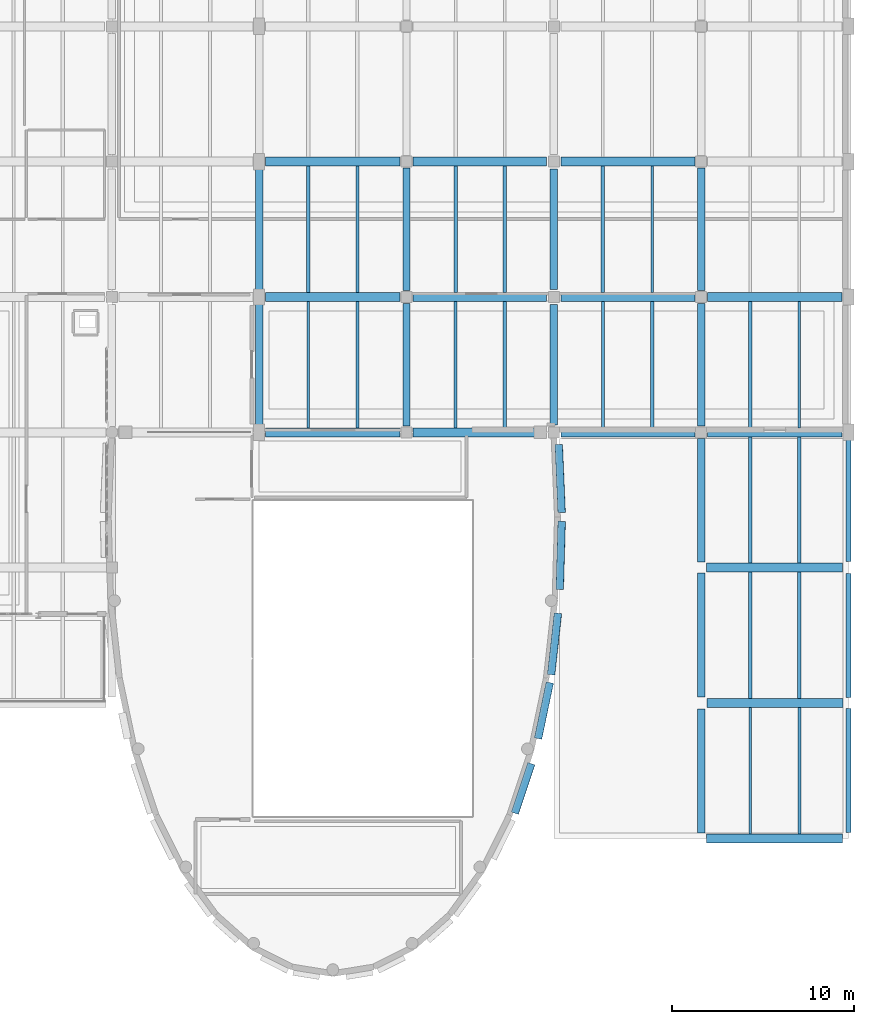
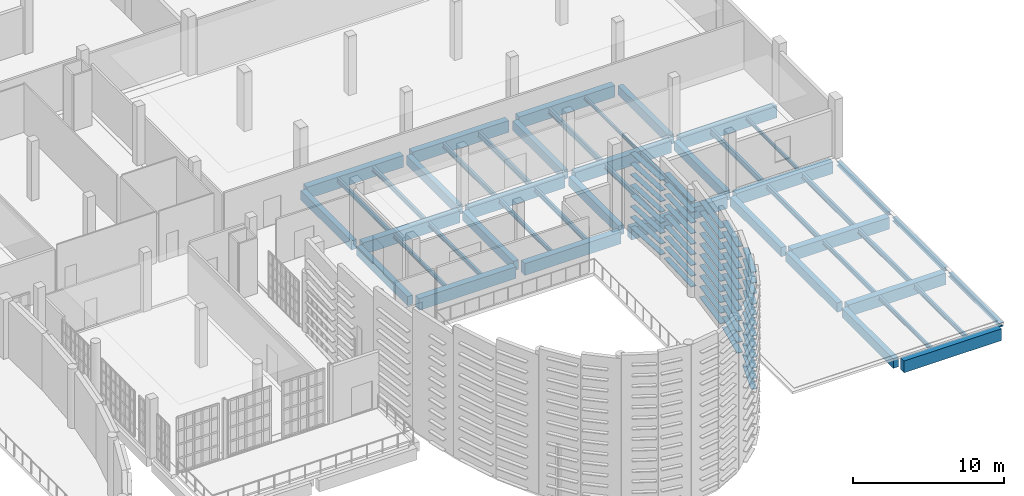
# One storey, part 49 of 104: 50 members, 48 beams.
"""IFC4 building model written with IfcOpenShell, lengths in metres."""

from ifc_helpers import new_model, si_unit, direction, frame, origin, origin_2d, place, context, subcontext, project, spatial, rectangle, hollow_rectangle, i_section, extrude, material, material_profile, profile_set, type_object, element, save


model = new_model("IFC4")

# Units and contexts
model_context = context("Model", 3, precision=1e-05, world=origin(), true_north=direction((0.0, 1.0)))
body_context = subcontext(model_context, "Body", "Model", "MODEL_VIEW")
ifc_project = project(units=[si_unit("LENGTHUNIT", "METRE"), si_unit("AREAUNIT", "SQUARE_METRE"), si_unit("VOLUMEUNIT", "CUBIC_METRE"), si_unit("PLANEANGLEUNIT", "RADIAN"), si_unit("MASSUNIT", "GRAM", prefix="KILO")], contexts=[model_context])

# Site, building, storey
site_placement = place(None, origin())
site = spatial("IfcSite", under=ifc_project, at=site_placement, CompositionType="ELEMENT")
building_placement = place(site_placement, origin())
building = spatial("IfcBuilding", under=site, at=building_placement, Name="Kaelora Sail Theatre", CompositionType="ELEMENT")
storey_placement = place(building_placement, frame((0.0, 0.0, 5.39990234375)))
storey = spatial("IfcBuildingStorey", under=building, at=storey_placement, Name="L01", CompositionType="ELEMENT", Elevation=5.39990234375)

# Members
ifc_material_1 = material(Name="Anodised aluminium 6063-T6", Category="aluminium")
ifc_material_profile_1 = material_profile(ifc_material_1, hollow_rectangle(XDim=0.419921875, YDim=0.054931640625, WallThickness=0.00390625, InnerFilletRadius=0.00390625, OuterFilletRadius=0.008056640625, at=origin_2d()), Name="LOUVRE 420x55x4")
ifc_profile_set_1 = profile_set([ifc_material_profile_1], Name="Anodised aluminium 6063-T6")
member_type = type_object("IfcMemberType", Name="ARC-MEM-LVR-420", PredefinedType="USERDEFINED", material=ifc_profile_set_1)
for number, where, z_axis, x_axis, name in (
    (1, (147.568603515625, 52.914306640625, 0.150146484375), (0.04251056879, -0.999096017178, 0.0), (0.999096017178, 0.04251056879, 0.0), "Black-Box and Experimental Sail Wing horizontal solar louvre C1-06"),
    (2, (147.568603515625, 52.914306640625, 1.010009765625), (0.04251056879, -0.999096017178, 0.0), (0.999096017178, 0.04251056879, 0.0), "Black-Box and Experimental Sail Wing horizontal solar louvre C1-07"),
    (3, (147.568603515625, 52.914306640625, 1.8701171875), (0.04251056879, -0.999096017178, 0.0), (0.999096017178, 0.04251056879, 0.0), "Black-Box and Experimental Sail Wing horizontal solar louvre C1-08"),
    (4, (147.568603515625, 52.914306640625, 2.72998046875), (0.04251056879, -0.999096017178, 0.0), (0.999096017178, 0.04251056879, 0.0), "Black-Box and Experimental Sail Wing horizontal solar louvre C1-09"),
    (5, (147.568603515625, 52.914306640625, 3.590087890625), (0.04251056879, -0.999096017178, 0.0), (0.999096017178, 0.04251056879, 0.0), "Black-Box and Experimental Sail Wing horizontal solar louvre C1-10"),
    (6, (147.568603515625, 52.914306640625, 4.4501953125), (0.04251056879, -0.999096017178, 0.0), (0.999096017178, 0.04251056879, 0.0), "Black-Box and Experimental Sail Wing horizontal solar louvre C1-11"),
    (7, (147.568603515625, 52.914306640625, 5.31005859375), (0.04251056879, -0.999096017178, 0.0), (0.999096017178, 0.04251056879, 0.0), "Black-Box and Experimental Sail Wing horizontal solar louvre C1-12"),
    (8, (147.568603515625, 52.914306640625, 6.170166015625), (0.04251056879, -0.999096017178, 0.0), (0.999096017178, 0.04251056879, 0.0), "Black-Box and Experimental Sail Wing horizontal solar louvre C1-13"),
):
    element("IfcMember", number, at=place(storey_placement, frame(where, z_axis=z_axis, x_axis=x_axis)), inside=storey, type_object=member_type, Name=name, ObjectType="LOUVRE", PredefinedType="USERDEFINED", context=body_context, shape_type="SweptSolid", body=[
        extrude(hollow_rectangle(XDim=0.419921875, YDim=0.054931640625, WallThickness=0.00390625, InnerFilletRadius=0.00390625, OuterFilletRadius=0.008056640625, at=origin_2d()), origin(), (0.0, 0.0, 1.0), 3.750244140625),
    ])
for number, where, z_axis, x_axis, name in (
    (9, (147.7314453125, 48.6904296875, 0.150146484375), (-0.028956416022, -0.999580675069, 0.0), (0.999580675069, -0.028956416022, 0.0), "Black-Box and Experimental Sail Wing horizontal solar louvre C2-06"),
    (10, (147.7314453125, 48.6904296875, 1.010009765625), (-0.028956416022, -0.999580675069, 0.0), (0.999580675069, -0.028956416022, 0.0), "Black-Box and Experimental Sail Wing horizontal solar louvre C2-07"),
    (11, (147.7314453125, 48.6904296875, 1.8701171875), (-0.028956416022, -0.999580675069, 0.0), (0.999580675069, -0.028956416022, 0.0), "Black-Box and Experimental Sail Wing horizontal solar louvre C2-08"),
    (12, (147.7314453125, 48.6904296875, 2.72998046875), (-0.028956416022, -0.999580675069, 0.0), (0.999580675069, -0.028956416022, 0.0), "Black-Box and Experimental Sail Wing horizontal solar louvre C2-09"),
    (13, (147.7314453125, 48.6904296875, 3.590087890625), (-0.028956416022, -0.999580675069, 0.0), (0.999580675069, -0.028956416022, 0.0), "Black-Box and Experimental Sail Wing horizontal solar louvre C2-10"),
    (14, (147.7314453125, 48.6904296875, 4.4501953125), (-0.028956416022, -0.999580675069, 0.0), (0.999580675069, -0.028956416022, 0.0), "Black-Box and Experimental Sail Wing horizontal solar louvre C2-11"),
    (15, (147.7314453125, 48.6904296875, 5.31005859375), (-0.028956416022, -0.999580675069, 0.0), (0.999580675069, -0.028956416022, 0.0), "Black-Box and Experimental Sail Wing horizontal solar louvre C2-12"),
    (16, (147.7314453125, 48.6904296875, 6.170166015625), (-0.028956416022, -0.999580675069, 0.0), (0.999580675069, -0.028956416022, 0.0), "Black-Box and Experimental Sail Wing horizontal solar louvre C2-13"),
    (17, (147.7314453125, 48.6904296875, 7.030029296875), (-0.028956416022, -0.999580675069, 0.0), (0.999580675069, -0.028956416022, 0.0), "Black-Box and Experimental Sail Wing horizontal solar louvre C2-14"),
):
    element("IfcMember", number, at=place(storey_placement, frame(where, z_axis=z_axis, x_axis=x_axis)), inside=storey, type_object=member_type, Name=name, ObjectType="LOUVRE", PredefinedType="USERDEFINED", context=body_context, shape_type="SweptSolid", body=[
        extrude(hollow_rectangle(XDim=0.419921875, YDim=0.054931640625, WallThickness=0.00390625, InnerFilletRadius=0.00390625, OuterFilletRadius=0.008056640625, at=origin_2d()), origin(), (0.0, 0.0, 1.0), 3.76025390625),
    ])
for number, where, z_axis, x_axis, name in (
    (18, (147.5244140625, 43.63330078125, 0.150146484375), (-0.110715587532, -0.993852131193, 0.0), (0.993852131193, -0.110715587532, 0.0), "Black-Box and Experimental Sail Wing horizontal solar louvre C3-06"),
    (19, (147.5244140625, 43.63330078125, 1.010009765625), (-0.110715587532, -0.993852131193, 0.0), (0.993852131193, -0.110715587532, 0.0), "Black-Box and Experimental Sail Wing horizontal solar louvre C3-07"),
    (20, (147.5244140625, 43.63330078125, 1.8701171875), (-0.110715587532, -0.993852131193, 0.0), (0.993852131193, -0.110715587532, 0.0), "Black-Box and Experimental Sail Wing horizontal solar louvre C3-08"),
    (21, (147.5244140625, 43.63330078125, 2.72998046875), (-0.110715587532, -0.993852131193, 0.0), (0.993852131193, -0.110715587532, 0.0), "Black-Box and Experimental Sail Wing horizontal solar louvre C3-09"),
    (22, (147.5244140625, 43.63330078125, 3.590087890625), (-0.110715587532, -0.993852131193, 0.0), (0.993852131193, -0.110715587532, 0.0), "Black-Box and Experimental Sail Wing horizontal solar louvre C3-10"),
    (23, (147.5244140625, 43.63330078125, 4.4501953125), (-0.110715587532, -0.993852131193, 0.0), (0.993852131193, -0.110715587532, 0.0), "Black-Box and Experimental Sail Wing horizontal solar louvre C3-11"),
    (24, (147.5244140625, 43.63330078125, 5.31005859375), (-0.110715587532, -0.993852131193, 0.0), (0.993852131193, -0.110715587532, 0.0), "Black-Box and Experimental Sail Wing horizontal solar louvre C3-12"),
    (25, (147.5244140625, 43.63330078125, 6.170166015625), (-0.110715587532, -0.993852131193, 0.0), (0.993852131193, -0.110715587532, 0.0), "Black-Box and Experimental Sail Wing horizontal solar louvre C3-13"),
    (26, (147.5244140625, 43.63330078125, 7.030029296875), (-0.110715587532, -0.993852131193, 0.0), (0.993852131193, -0.110715587532, 0.0), "Black-Box and Experimental Sail Wing horizontal solar louvre C3-14"),
    (27, (147.5244140625, 43.63330078125, 7.89013671875), (-0.110715587532, -0.993852131193, 0.0), (0.993852131193, -0.110715587532, 0.0), "Black-Box and Experimental Sail Wing horizontal solar louvre C3-15"),
):
    element("IfcMember", number, at=place(storey_placement, frame(where, z_axis=z_axis, x_axis=x_axis)), inside=storey, type_object=member_type, Name=name, ObjectType="LOUVRE", PredefinedType="USERDEFINED", context=body_context, shape_type="SweptSolid", body=[
        extrude(hollow_rectangle(XDim=0.419921875, YDim=0.054931640625, WallThickness=0.00390625, InnerFilletRadius=0.00390625, OuterFilletRadius=0.008056640625, at=origin_2d()), origin(), (0.0, 0.0, 1.0), 3.39599609375),
    ])
for number, where, z_axis, x_axis, name in (
    (28, (147.0791015625, 39.82080078125, 0.150146484375), (-0.205650376649, -0.978625527249, 0.0), (0.978625527249, -0.205650376649, 0.0), "Black-Box and Experimental Sail Wing horizontal solar louvre C4-06"),
    (29, (147.0791015625, 39.82080078125, 1.010009765625), (-0.205650376649, -0.978625527249, 0.0), (0.978625527249, -0.205650376649, 0.0), "Black-Box and Experimental Sail Wing horizontal solar louvre C4-07"),
    (30, (147.0791015625, 39.82080078125, 1.8701171875), (-0.205650376649, -0.978625527249, 0.0), (0.978625527249, -0.205650376649, 0.0), "Black-Box and Experimental Sail Wing horizontal solar louvre C4-08"),
    (31, (147.0791015625, 39.82080078125, 2.72998046875), (-0.205650376649, -0.978625527249, 0.0), (0.978625527249, -0.205650376649, 0.0), "Black-Box and Experimental Sail Wing horizontal solar louvre C4-09"),
    (32, (147.0791015625, 39.82080078125, 3.590087890625), (-0.205650376649, -0.978625527249, 0.0), (0.978625527249, -0.205650376649, 0.0), "Black-Box and Experimental Sail Wing horizontal solar louvre C4-10"),
    (33, (147.0791015625, 39.82080078125, 4.4501953125), (-0.205650376649, -0.978625527249, 0.0), (0.978625527249, -0.205650376649, 0.0), "Black-Box and Experimental Sail Wing horizontal solar louvre C4-11"),
    (34, (147.0791015625, 39.82080078125, 5.31005859375), (-0.205650376649, -0.978625527249, 0.0), (0.978625527249, -0.205650376649, 0.0), "Black-Box and Experimental Sail Wing horizontal solar louvre C4-12"),
    (35, (147.0791015625, 39.82080078125, 6.170166015625), (-0.205650376649, -0.978625527249, 0.0), (0.978625527249, -0.205650376649, 0.0), "Black-Box and Experimental Sail Wing horizontal solar louvre C4-13"),
    (36, (147.0791015625, 39.82080078125, 7.030029296875), (-0.205650376649, -0.978625527249, 0.0), (0.978625527249, -0.205650376649, 0.0), "Black-Box and Experimental Sail Wing horizontal solar louvre C4-14"),
    (37, (147.0791015625, 39.82080078125, 7.89013671875), (-0.205650376649, -0.978625527249, 0.0), (0.978625527249, -0.205650376649, 0.0), "Black-Box and Experimental Sail Wing horizontal solar louvre C4-15"),
    (38, (147.0791015625, 39.82080078125, 8.75), (-0.205650376649, -0.978625527249, 0.0), (0.978625527249, -0.205650376649, 0.0), "Black-Box and Experimental Sail Wing horizontal solar louvre C4-16"),
):
    element("IfcMember", number, at=place(storey_placement, frame(where, z_axis=z_axis, x_axis=x_axis)), inside=storey, type_object=member_type, Name=name, ObjectType="LOUVRE", PredefinedType="USERDEFINED", context=body_context, shape_type="SweptSolid", body=[
        extrude(hollow_rectangle(XDim=0.419921875, YDim=0.054931640625, WallThickness=0.00390625, InnerFilletRadius=0.00390625, OuterFilletRadius=0.008056640625, at=origin_2d()), origin(), (0.0, 0.0, 1.0), 3.1435546875),
    ])
for number, where, z_axis, x_axis, name in (
    (39, (146.06201171875, 35.3662109375, 0.150146484375), (-0.316023981839, -0.948751201792, 0.0), (0.948751201792, -0.316023981839, 0.0), "Black-Box and Experimental Sail Wing horizontal solar louvre C5-06"),
    (40, (146.06201171875, 35.3662109375, 1.010009765625), (-0.316023981839, -0.948751201792, 0.0), (0.948751201792, -0.316023981839, 0.0), "Black-Box and Experimental Sail Wing horizontal solar louvre C5-07"),
    (41, (146.06201171875, 35.3662109375, 1.8701171875), (-0.316023981839, -0.948751201792, 0.0), (0.948751201792, -0.316023981839, 0.0), "Black-Box and Experimental Sail Wing horizontal solar louvre C5-08"),
    (42, (146.06201171875, 35.3662109375, 2.72998046875), (-0.316023981839, -0.948751201792, 0.0), (0.948751201792, -0.316023981839, 0.0), "Black-Box and Experimental Sail Wing horizontal solar louvre C5-09"),
    (43, (146.06201171875, 35.3662109375, 3.590087890625), (-0.316023981839, -0.948751201792, 0.0), (0.948751201792, -0.316023981839, 0.0), "Black-Box and Experimental Sail Wing horizontal solar louvre C5-10"),
    (44, (146.06201171875, 35.3662109375, 4.4501953125), (-0.316023981839, -0.948751201792, 0.0), (0.948751201792, -0.316023981839, 0.0), "Black-Box and Experimental Sail Wing horizontal solar louvre C5-11"),
    (45, (146.06201171875, 35.3662109375, 5.31005859375), (-0.316023981839, -0.948751201792, 0.0), (0.948751201792, -0.316023981839, 0.0), "Black-Box and Experimental Sail Wing horizontal solar louvre C5-12"),
    (46, (146.06201171875, 35.3662109375, 6.170166015625), (-0.316023981839, -0.948751201792, 0.0), (0.948751201792, -0.316023981839, 0.0), "Black-Box and Experimental Sail Wing horizontal solar louvre C5-13"),
    (47, (146.06201171875, 35.3662109375, 7.030029296875), (-0.316023981839, -0.948751201792, 0.0), (0.948751201792, -0.316023981839, 0.0), "Black-Box and Experimental Sail Wing horizontal solar louvre C5-14"),
    (48, (146.06201171875, 35.3662109375, 7.89013671875), (-0.316023981839, -0.948751201792, 0.0), (0.948751201792, -0.316023981839, 0.0), "Black-Box and Experimental Sail Wing horizontal solar louvre C5-15"),
    (49, (146.06201171875, 35.3662109375, 8.75), (-0.316023981839, -0.948751201792, 0.0), (0.948751201792, -0.316023981839, 0.0), "Black-Box and Experimental Sail Wing horizontal solar louvre C5-16"),
    (50, (146.06201171875, 35.3662109375, 9.610107421875), (-0.316023981839, -0.948751201792, 0.0), (0.948751201792, -0.316023981839, 0.0), "Black-Box and Experimental Sail Wing horizontal solar louvre C5-17"),
):
    element("IfcMember", number, at=place(storey_placement, frame(where, z_axis=z_axis, x_axis=x_axis)), inside=storey, type_object=member_type, Name=name, ObjectType="LOUVRE", PredefinedType="USERDEFINED", context=body_context, shape_type="SweptSolid", body=[
        extrude(hollow_rectangle(XDim=0.419921875, YDim=0.054931640625, WallThickness=0.00390625, InnerFilletRadius=0.00390625, OuterFilletRadius=0.008056640625, at=origin_2d()), origin(), (0.0, 0.0, 1.0), 2.87548828125),
    ])

# Beams
ifc_material_2 = material(Name="Steel S355", Category="steel")
ifc_material_profile_2 = material_profile(ifc_material_2, i_section(OverallWidth=0.18994140625, OverallDepth=0.449951171875, WebThickness=0.009521484375, FlangeThickness=0.0146484375, FilletRadius=0.02099609375, at=origin_2d()), Name="IPE 450")
ifc_profile_set_2 = profile_set([ifc_material_profile_2], Name="Steel S355")
beam_type_1 = type_object("IfcBeamType", Name="STR-BM-BM-IPE450", PredefinedType="BEAM", material=ifc_profile_set_2)
for number, where, z_axis, x_axis, name in (
    (51, (144.60009765625, 61.27001953125, -0.52001953125), (0.0, 1.0, 0.0), (-1.0, 0.0, 0.0), "Secondary floor joist 18/I-2 (L01)"),
    (52, (152.699951171875, 53.830078125, -0.52001953125), (0.0, 1.0, 0.0), (-1.0, 0.0, 0.0), "Secondary floor joist 19/H-2 (L01)"),
    (53, (150.0, 61.27001953125, -0.52001953125), (0.0, 1.0, 0.0), (-1.0, 0.0, 0.0), "Secondary floor joist 19/I-1 (L01)"),
):
    element("IfcBeam", number, at=place(storey_placement, frame(where, z_axis=z_axis, x_axis=x_axis)), inside=storey, type_object=beam_type_1, Name=name, PredefinedType="BEAM", context=body_context, shape_type="SweptSolid", body=[
        extrude(i_section(OverallWidth=0.18994140625, OverallDepth=0.449951171875, WebThickness=0.009521484375, FlangeThickness=0.0146484375, FilletRadius=0.02099609375, at=origin_2d()), origin(), (0.0, 0.0, 1.0), 6.93994140625),
    ])
beam_1_placement = place(storey_placement, frame((160.800048828125, 46.389892578125, -0.52001953125), z_axis=(0.0, 1.0, 0.0), x_axis=(-1.0, 0.0, 0.0)))
element("IfcBeam", 54, at=beam_1_placement, inside=storey, type_object=beam_type_1, Name="Secondary floor joist 20/G-2 (L01)", PredefinedType="BEAM", context=body_context, shape_type="SweptSolid", body=[
    extrude(i_section(OverallWidth=0.18994140625, OverallDepth=0.449951171875, WebThickness=0.009521484375, FlangeThickness=0.0146484375, FilletRadius=0.02099609375, at=origin_2d()), origin(), (0.0, 0.0, 1.0), 6.940185546875),
])
beam_2_placement = place(storey_placement, frame((158.10009765625, 53.830078125, -0.52001953125), z_axis=(0.0, 1.0, 0.0), x_axis=(-1.0, 0.0, 0.0)))
element("IfcBeam", 55, at=beam_2_placement, inside=storey, type_object=beam_type_1, Name="Secondary floor joist 20/H-1 (L01)", PredefinedType="BEAM", context=body_context, shape_type="SweptSolid", body=[
    extrude(i_section(OverallWidth=0.18994140625, OverallDepth=0.449951171875, WebThickness=0.009521484375, FlangeThickness=0.0146484375, FilletRadius=0.02099609375, at=origin_2d()), origin(), (0.0, 0.0, 1.0), 6.93994140625),
])
ifc_material_3 = material(Name="Concrete C40/50", Category="concrete")
ifc_material_profile_3 = material_profile(ifc_material_3, rectangle(XDim=0.39990234375, YDim=0.75, at=origin_2d()), Name="RC-BM 400x750")
ifc_profile_set_3 = profile_set([ifc_material_profile_3], Name="Concrete C40/50")
beam_type_2 = type_object("IfcBeamType", Name="STR-BM-BM-RC4075", PredefinedType="BEAM", material=ifc_profile_set_3)
for number, where, z_axis, x_axis, name in (
    (56, (131.10009765625, 53.929931640625, -0.669921875), (0.0, 1.0, 0.0), (-1.0, 0.0, 0.0), "Primary beam 17 H-I (L01)"),
    (57, (131.10009765625, 61.3701171875, -0.669921875), (0.0, 1.0, 0.0), (-1.0, 0.0, 0.0), "Primary beam 17 I-J (L01)"),
    (58, (139.199951171875, 53.929931640625, -0.669921875), (0.0, 1.0, 0.0), (-1.0, 0.0, 0.0), "Primary beam 18 H-I (L01)"),
    (59, (139.199951171875, 61.3701171875, -0.669921875), (0.0, 1.0, 0.0), (-1.0, 0.0, 0.0), "Primary beam 18 I-J (L01)"),
):
    element("IfcBeam", number, at=place(storey_placement, frame(where, z_axis=z_axis, x_axis=x_axis)), inside=storey, type_object=beam_type_2, Name=name, PredefinedType="BEAM", context=body_context, shape_type="SweptSolid", body=[
        extrude(rectangle(XDim=0.39990234375, YDim=0.75, at=origin_2d()), origin(), (0.0, 0.0, 1.0), 6.739990234375),
    ])
for number, where, z_axis, x_axis, name in (
    (60, (147.300048828125, 53.97998046875, -0.669921875), (0.0, 1.0, 0.0), (-1.0, 0.0, 0.0), "Primary beam 19 H-I (L01)"),
    (61, (147.300048828125, 61.419921875, -0.669921875), (0.0, 1.0, 0.0), (-1.0, 0.0, 0.0), "Primary beam 19 I-J (L01)"),
):
    element("IfcBeam", number, at=place(storey_placement, frame(where, z_axis=z_axis, x_axis=x_axis)), inside=storey, type_object=beam_type_2, Name=name, PredefinedType="BEAM", context=body_context, shape_type="SweptSolid", body=[
        extrude(rectangle(XDim=0.39990234375, YDim=0.75, at=origin_2d()), origin(), (0.0, 0.0, 1.0), 6.64013671875),
    ])
beam_3_placement = place(storey_placement, frame((155.39990234375, 31.56005859375, -0.669921875), z_axis=(0.0, 1.0, 0.0), x_axis=(-1.0, 0.0, 0.0)))
element("IfcBeam", 62, at=beam_3_placement, inside=storey, type_object=beam_type_2, Name="Primary beam 20 E-F (L01)", PredefinedType="BEAM", context=body_context, shape_type="SweptSolid", body=[
    extrude(rectangle(XDim=0.39990234375, YDim=0.75, at=origin_2d()), origin(), (0.0, 0.0, 1.0), 6.81494140625),
])
beam_4_placement = place(storey_placement, frame((155.39990234375, 39.02490234375, -0.669921875), z_axis=(0.0, 1.0, 0.0), x_axis=(-1.0, 0.0, 0.0)))
element("IfcBeam", 63, at=beam_4_placement, inside=storey, type_object=beam_type_2, Name="Primary beam 20 F-G (L01)", PredefinedType="BEAM", context=body_context, shape_type="SweptSolid", body=[
    extrude(rectangle(XDim=0.39990234375, YDim=0.75, at=origin_2d()), origin(), (0.0, 0.0, 1.0), 6.815185546875),
])
beam_5_placement = place(storey_placement, frame((155.39990234375, 46.43994140625, -0.669921875), z_axis=(0.0, 1.0, 0.0), x_axis=(-1.0, 0.0, 0.0)))
element("IfcBeam", 64, at=beam_5_placement, inside=storey, type_object=beam_type_2, Name="Primary beam 20 G-H (L01)", PredefinedType="BEAM", context=body_context, shape_type="SweptSolid", body=[
    extrude(rectangle(XDim=0.39990234375, YDim=0.75, at=origin_2d()), origin(), (0.0, 0.0, 1.0), 6.7900390625),
])
for number, where, z_axis, x_axis, name in (
    (65, (155.39990234375, 53.929931640625, -0.669921875), (0.0, 1.0, 0.0), (-1.0, 0.0, 0.0), "Primary beam 20 H-I (L01)"),
    (66, (155.39990234375, 61.3701171875, -0.669921875), (0.0, 1.0, 0.0), (-1.0, 0.0, 0.0), "Primary beam 20 I-J (L01)"),
):
    element("IfcBeam", number, at=place(storey_placement, frame(where, z_axis=z_axis, x_axis=x_axis)), inside=storey, type_object=beam_type_2, Name=name, PredefinedType="BEAM", context=body_context, shape_type="SweptSolid", body=[
        extrude(rectangle(XDim=0.39990234375, YDim=0.75, at=origin_2d()), origin(), (0.0, 0.0, 1.0), 6.739990234375),
    ])
ifc_material_4 = material(Name="Concrete C45/55", Category="concrete")
ifc_material_profile_4 = material_profile(ifc_material_4, rectangle(XDim=0.5, YDim=0.949951171875, at=origin_2d()), Name="RC-GRD 500x950")
ifc_profile_set_4 = profile_set([ifc_material_profile_4], Name="Concrete C45/55")
beam_type_3 = type_object("IfcBeamType", Name="STR-BM-GR-RC5095", PredefinedType="T_BEAM", material=ifc_profile_set_4)
for number, where, z_axis, x_axis, name in (
    (67, (131.449951171875, 53.580078125, -0.77001953125), (1.0, 0.0, 0.0), (0.0, 1.0, 0.0), "Primary beam H 17-18 (L01)"),
    (68, (131.449951171875, 61.02001953125, -0.77001953125), (1.0, 0.0, 0.0), (0.0, 1.0, 0.0), "Primary beam I 17-18 (L01)"),
    (69, (131.449951171875, 68.4599609375, -0.77001953125), (1.0, 0.0, 0.0), (0.0, 1.0, 0.0), "Primary beam J 17-18 (L01)"),
):
    element("IfcBeam", number, at=place(storey_placement, frame(where, z_axis=z_axis, x_axis=x_axis)), inside=storey, type_object=beam_type_3, Name=name, PredefinedType="T_BEAM", context=body_context, shape_type="SweptSolid", body=[
        extrude(rectangle(XDim=0.5, YDim=0.949951171875, at=origin_2d()), origin(), (0.0, 0.0, 1.0), 7.400146484375),
    ])
for number, where, z_axis, x_axis, name in (
    (70, (139.550048828125, 53.580078125, -0.77001953125), (1.0, 0.0, 0.0), (0.0, 1.0, 0.0), "Primary beam H 18-19 (L01)"),
    (71, (139.550048828125, 61.02001953125, -0.77001953125), (1.0, 0.0, 0.0), (0.0, 1.0, 0.0), "Primary beam I 18-19 (L01)"),
    (72, (139.550048828125, 68.4599609375, -0.77001953125), (1.0, 0.0, 0.0), (0.0, 1.0, 0.0), "Primary beam J 18-19 (L01)"),
):
    element("IfcBeam", number, at=place(storey_placement, frame(where, z_axis=z_axis, x_axis=x_axis)), inside=storey, type_object=beam_type_3, Name=name, PredefinedType="T_BEAM", context=body_context, shape_type="SweptSolid", body=[
        extrude(rectangle(XDim=0.5, YDim=0.949951171875, at=origin_2d()), origin(), (0.0, 0.0, 1.0), 7.349853515625),
    ])
for number, where, z_axis, x_axis, name in (
    (73, (147.699951171875, 53.580078125, -0.77001953125), (1.0, 0.0, 0.0), (0.0, 1.0, 0.0), "Primary beam H 19-20 (L01)"),
    (74, (147.699951171875, 61.02001953125, -0.77001953125), (1.0, 0.0, 0.0), (0.0, 1.0, 0.0), "Primary beam I 19-20 (L01)"),
    (75, (147.699951171875, 68.4599609375, -0.77001953125), (1.0, 0.0, 0.0), (0.0, 1.0, 0.0), "Primary beam J 19-20 (L01)"),
):
    element("IfcBeam", number, at=place(storey_placement, frame(where, z_axis=z_axis, x_axis=x_axis)), inside=storey, type_object=beam_type_3, Name=name, PredefinedType="T_BEAM", context=body_context, shape_type="SweptSolid", body=[
        extrude(rectangle(XDim=0.5, YDim=0.949951171875, at=origin_2d()), origin(), (0.0, 0.0, 1.0), 7.35009765625),
    ])
beam_6_placement = place(storey_placement, frame((155.699951171875, 31.260009765625, -0.77001953125), z_axis=(1.0, 0.0, 0.0), x_axis=(0.0, 1.0, 0.0)))
element("IfcBeam", 76, at=beam_6_placement, inside=storey, type_object=beam_type_3, Name="Primary beam E 20-21 (L01)", PredefinedType="T_BEAM", context=body_context, shape_type="SweptSolid", body=[
    extrude(rectangle(XDim=0.5, YDim=0.949951171875, at=origin_2d()), origin(), (0.0, 0.0, 1.0), 7.47509765625),
])
beam_7_placement = place(storey_placement, frame((155.72509765625, 38.699951171875, -0.77001953125), z_axis=(1.0, 0.0, 0.0), x_axis=(0.0, 1.0, 0.0)))
element("IfcBeam", 77, at=beam_7_placement, inside=storey, type_object=beam_type_3, Name="Primary beam F 20-21 (L01)", PredefinedType="T_BEAM", context=body_context, shape_type="SweptSolid", body=[
    extrude(rectangle(XDim=0.5, YDim=0.949951171875, at=origin_2d()), origin(), (0.0, 0.0, 1.0), 7.474853515625),
])
beam_8_placement = place(storey_placement, frame((155.699951171875, 46.139892578125, -0.77001953125), z_axis=(1.0, 0.0, 0.0), x_axis=(0.0, 1.0, 0.0)))
element("IfcBeam", 78, at=beam_8_placement, inside=storey, type_object=beam_type_3, Name="Primary beam G 20-21 (L01)", PredefinedType="T_BEAM", context=body_context, shape_type="SweptSolid", body=[
    extrude(rectangle(XDim=0.5, YDim=0.949951171875, at=origin_2d()), origin(), (0.0, 0.0, 1.0), 7.47509765625),
])
for number, where, z_axis, x_axis, name in (
    (79, (155.75, 53.580078125, -0.77001953125), (1.0, 0.0, 0.0), (0.0, 1.0, 0.0), "Primary beam H 20-21 (L01)"),
    (80, (155.75, 61.02001953125, -0.77001953125), (1.0, 0.0, 0.0), (0.0, 1.0, 0.0), "Primary beam I 20-21 (L01)"),
):
    element("IfcBeam", number, at=place(storey_placement, frame(where, z_axis=z_axis, x_axis=x_axis)), inside=storey, type_object=beam_type_3, Name=name, PredefinedType="T_BEAM", context=body_context, shape_type="SweptSolid", body=[
        extrude(rectangle(XDim=0.5, YDim=0.949951171875, at=origin_2d()), origin(), (0.0, 0.0, 1.0), 7.39990234375),
    ])
ifc_material_5 = material(Name="Steel S355", Category="steel")
ifc_material_profile_5 = material_profile(ifc_material_5, i_section(OverallWidth=0.135009765625, OverallDepth=0.27001953125, WebThickness=0.006591796875, FlangeThickness=0.01025390625, FilletRadius=0.014892578125, at=origin_2d()), Name="IPE 270")
ifc_profile_set_5 = profile_set([ifc_material_profile_5], Name="Steel S355")
beam_type_4 = type_object("IfcBeamType", Name="STR-BM-JS-IPE270", PredefinedType="JOIST", material=ifc_profile_set_5)
for number, where, z_axis, x_axis, name in (
    (81, (152.699951171875, 61.27001953125, -0.429931640625), (0.0, 1.0, 0.0), (-1.0, 0.0, 0.0), "Secondary floor joist 19/I-2 (L01)"),
    (82, (160.800048828125, 53.830078125, -0.429931640625), (0.0, 1.0, 0.0), (-1.0, 0.0, 0.0), "Secondary floor joist 20/H-2 (L01)"),
):
    element("IfcBeam", number, at=place(storey_placement, frame(where, z_axis=z_axis, x_axis=x_axis)), inside=storey, type_object=beam_type_4, Name=name, PredefinedType="JOIST", context=body_context, shape_type="SweptSolid", body=[
        extrude(i_section(OverallWidth=0.135009765625, OverallDepth=0.27001953125, WebThickness=0.006591796875, FlangeThickness=0.01025390625, FilletRadius=0.014892578125, at=origin_2d()), origin(), (0.0, 0.0, 1.0), 6.93994140625),
    ])
ifc_material_6 = material(Name="Steel S355", Category="steel")
ifc_material_profile_6 = material_profile(ifc_material_6, i_section(OverallWidth=0.159912109375, OverallDepth=0.330078125, WebThickness=0.007568359375, FlangeThickness=0.011474609375, FilletRadius=0.01806640625, at=origin_2d()), Name="IPE 330")
ifc_profile_set_6 = profile_set([ifc_material_profile_6], Name="Steel S355")
beam_type_5 = type_object("IfcBeamType", Name="STR-BM-JS-IPE330", PredefinedType="JOIST", material=ifc_profile_set_6)
for number, where, z_axis, x_axis, name in (
    (83, (133.800048828125, 53.830078125, -0.4599609375), (0.0, 1.0, 0.0), (-1.0, 0.0, 0.0), "Secondary floor joist 17/H-1 (L01)"),
    (84, (158.10009765625, 31.510009765625, -0.4599609375), (0.0, 1.0, 0.0), (-1.0, 0.0, 0.0), "Secondary floor joist 20/E-1 (L01)"),
):
    element("IfcBeam", number, at=place(storey_placement, frame(where, z_axis=z_axis, x_axis=x_axis)), inside=storey, type_object=beam_type_5, Name=name, PredefinedType="JOIST", context=body_context, shape_type="SweptSolid", body=[
        extrude(i_section(OverallWidth=0.159912109375, OverallDepth=0.330078125, WebThickness=0.007568359375, FlangeThickness=0.011474609375, FilletRadius=0.01806640625, at=origin_2d()), origin(), (0.0, 0.0, 1.0), 6.93994140625),
    ])
ifc_material_7 = material(Name="Steel S355", Category="steel")
ifc_material_profile_7 = material_profile(ifc_material_7, i_section(OverallWidth=0.169921875, OverallDepth=0.360107421875, WebThickness=0.008056640625, FlangeThickness=0.0126953125, FilletRadius=0.01806640625, at=origin_2d()), Name="IPE 360")
ifc_profile_set_7 = profile_set([ifc_material_profile_7], Name="Steel S355")
beam_type_6 = type_object("IfcBeamType", Name="STR-BM-JS-IPE360", PredefinedType="JOIST", material=ifc_profile_set_7)
for number, where, z_axis, x_axis, name in (
    (85, (136.5, 53.830078125, -0.474853515625), (0.0, 1.0, 0.0), (-1.0, 0.0, 0.0), "Secondary floor joist 17/H-2 (L01)"),
    (86, (133.800048828125, 61.27001953125, -0.474853515625), (0.0, 1.0, 0.0), (-1.0, 0.0, 0.0), "Secondary floor joist 17/I-1 (L01)"),
    (87, (141.89990234375, 53.830078125, -0.474853515625), (0.0, 1.0, 0.0), (-1.0, 0.0, 0.0), "Secondary floor joist 18/H-1 (L01)"),
    (88, (160.800048828125, 31.510009765625, -0.474853515625), (0.0, 1.0, 0.0), (-1.0, 0.0, 0.0), "Secondary floor joist 20/E-2 (L01)"),
    (89, (158.10009765625, 38.949951171875, -0.474853515625), (0.0, 1.0, 0.0), (-1.0, 0.0, 0.0), "Secondary floor joist 20/F-1 (L01)"),
):
    element("IfcBeam", number, at=place(storey_placement, frame(where, z_axis=z_axis, x_axis=x_axis)), inside=storey, type_object=beam_type_6, Name=name, PredefinedType="JOIST", context=body_context, shape_type="SweptSolid", body=[
        extrude(i_section(OverallWidth=0.169921875, OverallDepth=0.360107421875, WebThickness=0.008056640625, FlangeThickness=0.0126953125, FilletRadius=0.01806640625, at=origin_2d()), origin(), (0.0, 0.0, 1.0), 6.93994140625),
    ])
ifc_material_8 = material(Name="Steel S355", Category="steel")
ifc_material_profile_8 = material_profile(ifc_material_8, i_section(OverallWidth=0.179931640625, OverallDepth=0.39990234375, WebThickness=0.008544921875, FlangeThickness=0.013427734375, FilletRadius=0.02099609375, at=origin_2d()), Name="IPE 400")
ifc_profile_set_8 = profile_set([ifc_material_profile_8], Name="Steel S355")
beam_type_7 = type_object("IfcBeamType", Name="STR-BM-JS-IPE400", PredefinedType="JOIST", material=ifc_profile_set_8)
for number, where, z_axis, x_axis, name in (
    (90, (136.5, 61.27001953125, -0.494873046875), (0.0, 1.0, 0.0), (-1.0, 0.0, 0.0), "Secondary floor joist 17/I-2 (L01)"),
    (91, (144.60009765625, 53.830078125, -0.494873046875), (0.0, 1.0, 0.0), (-1.0, 0.0, 0.0), "Secondary floor joist 18/H-2 (L01)"),
    (92, (141.89990234375, 61.27001953125, -0.494873046875), (0.0, 1.0, 0.0), (-1.0, 0.0, 0.0), "Secondary floor joist 18/I-1 (L01)"),
    (93, (150.0, 53.830078125, -0.494873046875), (0.0, 1.0, 0.0), (-1.0, 0.0, 0.0), "Secondary floor joist 19/H-1 (L01)"),
    (94, (160.800048828125, 38.949951171875, -0.494873046875), (0.0, 1.0, 0.0), (-1.0, 0.0, 0.0), "Secondary floor joist 20/F-2 (L01)"),
):
    element("IfcBeam", number, at=place(storey_placement, frame(where, z_axis=z_axis, x_axis=x_axis)), inside=storey, type_object=beam_type_7, Name=name, PredefinedType="JOIST", context=body_context, shape_type="SweptSolid", body=[
        extrude(i_section(OverallWidth=0.179931640625, OverallDepth=0.39990234375, WebThickness=0.008544921875, FlangeThickness=0.013427734375, FilletRadius=0.02099609375, at=origin_2d()), origin(), (0.0, 0.0, 1.0), 6.93994140625),
    ])
beam_9_placement = place(storey_placement, frame((158.10009765625, 46.389892578125, -0.494873046875), z_axis=(0.0, 1.0, 0.0), x_axis=(-1.0, 0.0, 0.0)))
element("IfcBeam", 95, at=beam_9_placement, inside=storey, type_object=beam_type_7, Name="Secondary floor joist 20/G-1 (L01)", PredefinedType="JOIST", context=body_context, shape_type="SweptSolid", body=[
    extrude(i_section(OverallWidth=0.179931640625, OverallDepth=0.39990234375, WebThickness=0.008544921875, FlangeThickness=0.013427734375, FilletRadius=0.02099609375, at=origin_2d()), origin(), (0.0, 0.0, 1.0), 6.940185546875),
])
ifc_material_9 = material(Name="Steel S355", Category="steel")
ifc_material_profile_9 = material_profile(ifc_material_9, i_section(OverallWidth=0.300048828125, OverallDepth=0.300048828125, WebThickness=0.010986328125, FlangeThickness=0.01904296875, FilletRadius=0.027099609375, at=origin_2d()), Name="HEB 300")
ifc_profile_set_9 = profile_set([ifc_material_profile_9], Name="Steel S355")
beam_type_8 = type_object("IfcBeamType", Name="STR-BM-SP-HEB300", PredefinedType="SPANDREL", material=ifc_profile_set_9)
for number, where, z_axis, x_axis, name in (
    (96, (163.5, 31.5849609375, -0.44482421875), (0.0, 1.0, 0.0), (-1.0, 0.0, 0.0), "Primary beam 21 E-F (L01)"),
    (97, (163.5, 39.0, -0.44482421875), (0.0, 1.0, 0.0), (-1.0, 0.0, 0.0), "Primary beam 21 F-G (L01)"),
):
    element("IfcBeam", number, at=place(storey_placement, frame(where, z_axis=z_axis, x_axis=x_axis)), inside=storey, type_object=beam_type_8, Name=name, PredefinedType="SPANDREL", context=body_context, shape_type="SweptSolid", body=[
        extrude(i_section(OverallWidth=0.300048828125, OverallDepth=0.300048828125, WebThickness=0.010986328125, FlangeThickness=0.01904296875, FilletRadius=0.027099609375, at=origin_2d()), origin(), (0.0, 0.0, 1.0), 6.81494140625),
    ])
beam_10_placement = place(storey_placement, frame((163.5, 46.465087890625, -0.44482421875), z_axis=(0.0, 1.0, 0.0), x_axis=(-1.0, 0.0, 0.0)))
element("IfcBeam", 98, at=beam_10_placement, inside=storey, type_object=beam_type_8, Name="Primary beam 21 G-H (L01)", PredefinedType="SPANDREL", context=body_context, shape_type="SweptSolid", body=[
    extrude(i_section(OverallWidth=0.300048828125, OverallDepth=0.300048828125, WebThickness=0.010986328125, FlangeThickness=0.01904296875, FilletRadius=0.027099609375, at=origin_2d()), origin(), (0.0, 0.0, 1.0), 6.764892578125),
])

save(model, "model.ifc")
